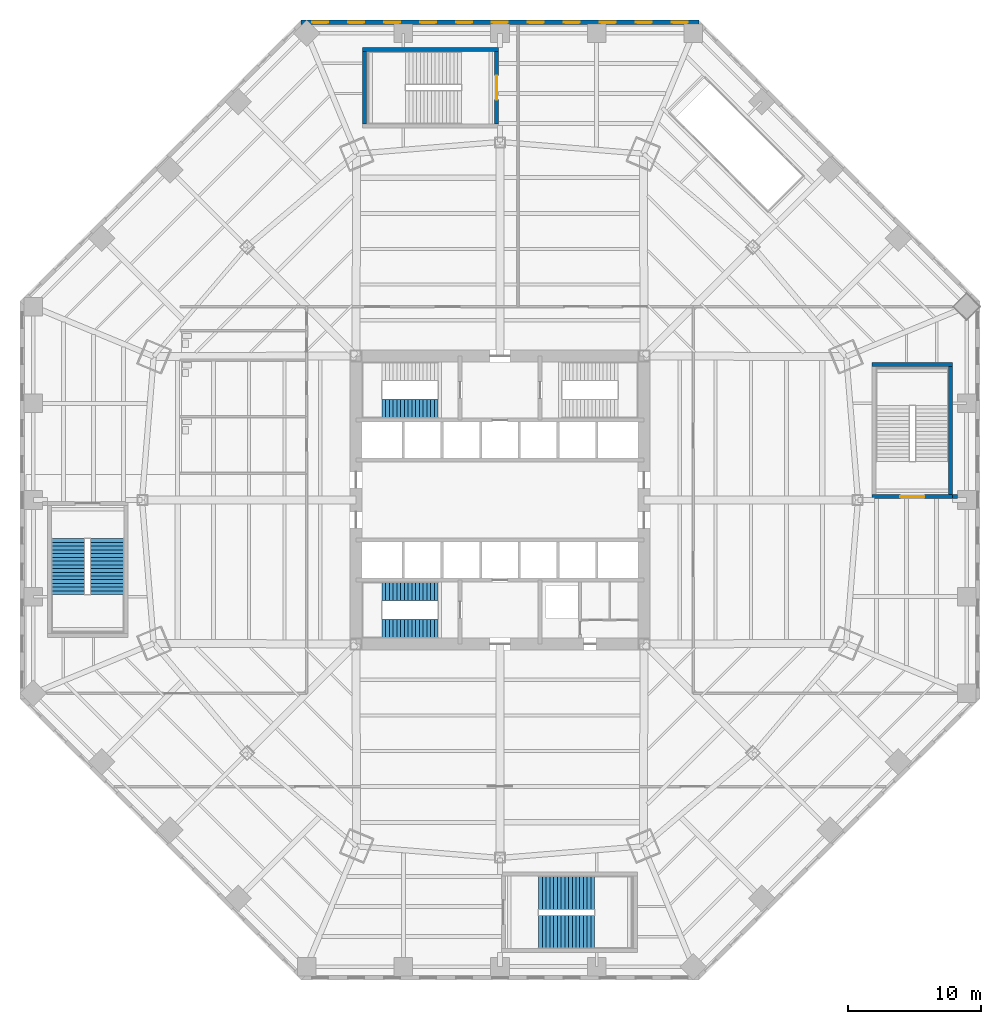
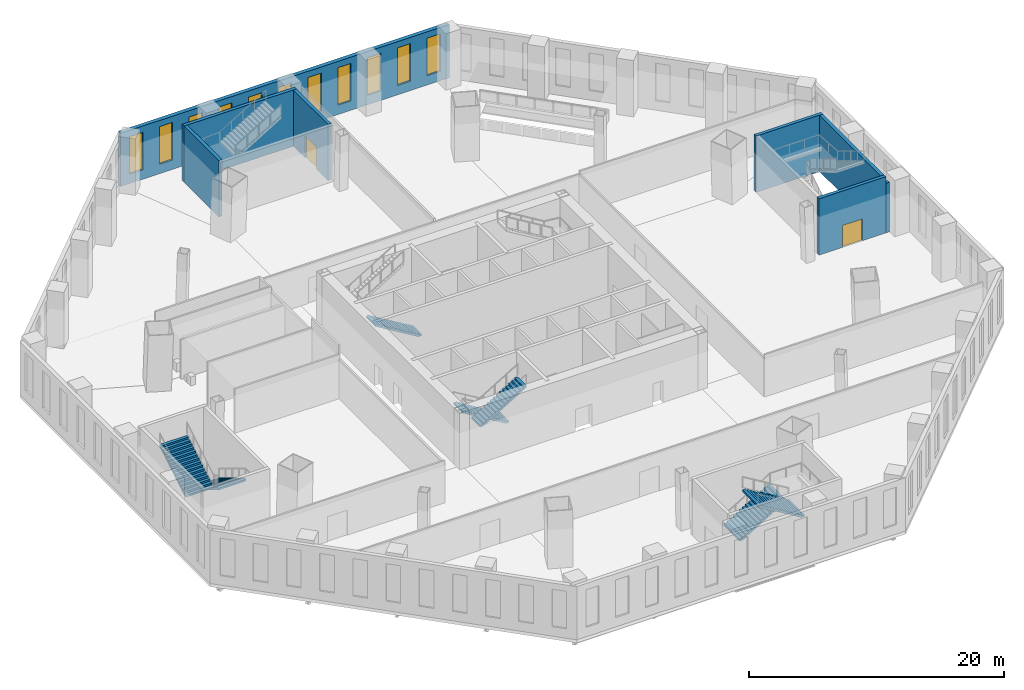
# One storey, part 13 of 18: 11 windows, 8 walls, 7 stair flights, 2 doors, 13 openings, 4 elements without a shape of their own.
"""IFC4 building model written with IfcOpenShell, lengths in metres."""

from ifc_helpers import new_model, si_unit, direction, frame, frame_2d, origin, place, context, subcontext, project, spatial, polyline, rectangle, outline, extrude, material, layer, layer_set, type_object, element, fill, aggregate, save


model = new_model("IFC4")

# Units and contexts
model_context = context("Model", 3, precision=1e-05, world=origin(), true_north=direction((0.0, 1.0)))
body_context = subcontext(model_context, "Body", "Model", "MODEL_VIEW")
ifc_project = project(units=[si_unit("LENGTHUNIT", "METRE"), si_unit("AREAUNIT", "SQUARE_METRE"), si_unit("VOLUMEUNIT", "CUBIC_METRE"), si_unit("PLANEANGLEUNIT", "RADIAN"), si_unit("MASSUNIT", "GRAM", prefix="KILO")], contexts=[model_context])

# Site, building, storey
site_placement = place(None, origin())
site = spatial("IfcSite", under=ifc_project, at=site_placement, CompositionType="ELEMENT")
building_placement = place(site_placement, origin())
building = spatial("IfcBuilding", under=site, at=building_placement, Name="Mashrafa Tower", CompositionType="ELEMENT")
storey_placement = place(building_placement, frame((0.0, 0.0, 13.199951171875)))
storey = spatial("IfcBuildingStorey", under=building, at=storey_placement, Name="L02", CompositionType="ELEMENT", Elevation=13.199951171875)

# Wall, openings, windows
ifc_material_1 = material(Name="Riyadh limestone cladding on blockwork", Category="masonry")
ifc_layer_1 = layer(ifc_material_1, 0.35009765625)
ifc_layer_set_1 = layer_set([ifc_layer_1], Name="Limestone-clad external wall 350")
wall_type_1 = type_object("IfcWallType", Name="Limestone-clad external wall 350", PredefinedType="SOLIDWALL", material=ifc_layer_set_1)
wall_1_placement = place(storey_placement, frame((14.91162109375, 35.824951171875, 0.0), z_axis=(0.0, 0.0, 1.0), x_axis=(-1.0, 0.0, 0.0)))
wall_1 = element("IfcWall", 1, at=wall_1_placement, inside=storey, type_object=wall_type_1, Name="Limestone-clad external wall L02 north", PredefinedType="SOLIDWALL", context=body_context, shape_type="SweptSolid", body=[
    extrude(rectangle(XDim=29.8232421875, YDim=0.35009765625, at=frame_2d((14.91162109375, 0.0))), origin(), (0.0, 0.0, 1.0), 5.10009765625),
])
opening_1_placement = place(wall_1_placement, frame((0.821533203125, 0.0, 0.89990234375)))
opening_1 = element("IfcOpeningElement", 2, at=opening_1_placement, cuts=wall_1, Name="Opening W2", PredefinedType="OPENING", context=body_context, shape_type="SweptSolid", body=[
    extrude(rectangle(XDim=1.199951171875, YDim=3.60009765625, at=frame_2d((0.60009765625, 1.800048828125))), frame((0.0, 0.18505859375, 0.0), z_axis=(0.0, -1.0, 0.0), x_axis=(1.0, 0.0, 0.0)), (0.0, 0.0, 1.0), 0.3701171875),
])
opening_2_placement = place(wall_1_placement, frame((3.51953125, 0.0, 0.89990234375)))
opening_2 = element("IfcOpeningElement", 3, at=opening_2_placement, cuts=wall_1, Name="Opening W2", PredefinedType="OPENING", context=body_context, shape_type="SweptSolid", body=[
    extrude(rectangle(XDim=1.199951171875, YDim=3.60009765625, at=frame_2d((0.60009765625, 1.800048828125))), frame((0.0, 0.18505859375, 0.0), z_axis=(0.0, -1.0, 0.0), x_axis=(1.0, 0.0, 0.0)), (0.0, 0.0, 1.0), 0.3701171875),
])
opening_3_placement = place(wall_1_placement, frame((6.217529296875, 0.0, 0.89990234375)))
opening_3 = element("IfcOpeningElement", 4, at=opening_3_placement, cuts=wall_1, Name="Opening W2", PredefinedType="OPENING", context=body_context, shape_type="SweptSolid", body=[
    extrude(rectangle(XDim=1.199951171875, YDim=3.60009765625, at=frame_2d((0.60009765625, 1.800048828125))), frame((0.0, 0.18505859375, 0.0), z_axis=(0.0, -1.0, 0.0), x_axis=(1.0, 0.0, 0.0)), (0.0, 0.0, 1.0), 0.3701171875),
])
opening_4_placement = place(wall_1_placement, frame((8.91552734375, 0.0, 0.89990234375)))
opening_4 = element("IfcOpeningElement", 5, at=opening_4_placement, cuts=wall_1, Name="Opening W2", PredefinedType="OPENING", context=body_context, shape_type="SweptSolid", body=[
    extrude(rectangle(XDim=1.199951171875, YDim=3.60009765625, at=frame_2d((0.60009765625, 1.800048828125))), frame((0.0, 0.18505859375, 0.0), z_axis=(0.0, -1.0, 0.0), x_axis=(1.0, 0.0, 0.0)), (0.0, 0.0, 1.0), 0.3701171875),
])
opening_5_placement = place(wall_1_placement, frame((11.61376953125, 0.0, 0.89990234375)))
opening_5 = element("IfcOpeningElement", 6, at=opening_5_placement, cuts=wall_1, Name="Opening W2", PredefinedType="OPENING", context=body_context, shape_type="SweptSolid", body=[
    extrude(rectangle(XDim=1.199951171875, YDim=3.60009765625, at=frame_2d((0.60009765625, 1.800048828125))), frame((0.0, 0.18505859375, 0.0), z_axis=(0.0, -1.0, 0.0), x_axis=(1.0, 0.0, 0.0)), (0.0, 0.0, 1.0), 0.3701171875),
])
opening_6_placement = place(wall_1_placement, frame((14.311767578125, 0.0, 0.89990234375)))
opening_6 = element("IfcOpeningElement", 7, at=opening_6_placement, cuts=wall_1, Name="Opening W2", PredefinedType="OPENING", context=body_context, shape_type="SweptSolid", body=[
    extrude(rectangle(XDim=1.199951171875, YDim=3.60009765625, at=frame_2d((0.60009765625, 1.800048828125))), frame((0.0, 0.18505859375, 0.0), z_axis=(0.0, -1.0, 0.0), x_axis=(1.0, 0.0, 0.0)), (0.0, 0.0, 1.0), 0.3701171875),
])
opening_7_placement = place(wall_1_placement, frame((17.009765625, 0.0, 0.89990234375)))
opening_7 = element("IfcOpeningElement", 8, at=opening_7_placement, cuts=wall_1, Name="Opening W2", PredefinedType="OPENING", context=body_context, shape_type="SweptSolid", body=[
    extrude(rectangle(XDim=1.199951171875, YDim=3.60009765625, at=frame_2d((0.60009765625, 1.800048828125))), frame((0.0, 0.18505859375, 0.0), z_axis=(0.0, -1.0, 0.0), x_axis=(1.0, 0.0, 0.0)), (0.0, 0.0, 1.0), 0.3701171875),
])
opening_8_placement = place(wall_1_placement, frame((19.707763671875, 0.0, 0.89990234375)))
opening_8 = element("IfcOpeningElement", 9, at=opening_8_placement, cuts=wall_1, Name="Opening W2", PredefinedType="OPENING", context=body_context, shape_type="SweptSolid", body=[
    extrude(rectangle(XDim=1.199951171875, YDim=3.60009765625, at=frame_2d((0.60009765625, 1.800048828125))), frame((0.0, 0.18505859375, 0.0), z_axis=(0.0, -1.0, 0.0), x_axis=(1.0, 0.0, 0.0)), (0.0, 0.0, 1.0), 0.3701171875),
])
opening_9_placement = place(wall_1_placement, frame((22.40576171875, 0.0, 0.89990234375)))
opening_9 = element("IfcOpeningElement", 10, at=opening_9_placement, cuts=wall_1, Name="Opening W2", PredefinedType="OPENING", context=body_context, shape_type="SweptSolid", body=[
    extrude(rectangle(XDim=1.199951171875, YDim=3.60009765625, at=frame_2d((0.60009765625, 1.800048828125))), frame((0.0, 0.18505859375, 0.0), z_axis=(0.0, -1.0, 0.0), x_axis=(1.0, 0.0, 0.0)), (0.0, 0.0, 1.0), 0.3701171875),
])
opening_10_placement = place(wall_1_placement, frame((25.103759765625, 0.0, 0.89990234375)))
opening_10 = element("IfcOpeningElement", 11, at=opening_10_placement, cuts=wall_1, Name="Opening W2", PredefinedType="OPENING", context=body_context, shape_type="SweptSolid", body=[
    extrude(rectangle(XDim=1.199951171875, YDim=3.60009765625, at=frame_2d((0.60009765625, 1.800048828125))), frame((0.0, 0.18505859375, 0.0), z_axis=(0.0, -1.0, 0.0), x_axis=(1.0, 0.0, 0.0)), (0.0, 0.0, 1.0), 0.3701171875),
])
opening_11_placement = place(wall_1_placement, frame((27.8017578125, 0.0, 0.89990234375)))
opening_11 = element("IfcOpeningElement", 12, at=opening_11_placement, cuts=wall_1, Name="Opening W2", PredefinedType="OPENING", context=body_context, shape_type="SweptSolid", body=[
    extrude(rectangle(XDim=1.199951171875, YDim=3.60009765625, at=frame_2d((0.60009765625, 1.800048828125))), frame((0.0, 0.18505859375, 0.0), z_axis=(0.0, -1.0, 0.0), x_axis=(1.0, 0.0, 0.0)), (0.0, 0.0, 1.0), 0.3701171875),
])
ifc_material_2 = material(Name="Bronze-framed insulated glazing", Category="glass")
window_type = type_object("IfcWindowType", Name="Tall punched window 1200 x 3600", PartitioningType="DOUBLE_PANEL_HORIZONTAL", PredefinedType="WINDOW", material=ifc_material_2)
window_1_placement = place(opening_1_placement, origin())
window_1 = element("IfcWindow", 13, at=window_1_placement, inside=storey, type_object=window_type, Name="Window W2 L02 north bay 1", OverallHeight=3.60009765625, OverallWidth=1.199951171875, PartitioningType="SINGLE_PANEL", PredefinedType="WINDOW", context=body_context, shape_type="SweptSolid", body=[
    extrude(rectangle(XDim=1.199951171875, YDim=3.60009765625, at=frame_2d((0.60009765625, 1.800048828125))), frame((0.0, 0.030029296875, 0.0), z_axis=(0.0, -1.0, 0.0), x_axis=(1.0, 0.0, 0.0)), (0.0, 0.0, 1.0), 0.06005859375),
])
fill(opening_1, window_1)
window_2_placement = place(opening_2_placement, origin())
window_2 = element("IfcWindow", 14, at=window_2_placement, inside=storey, type_object=window_type, Name="Window W2 L02 north bay 2", OverallHeight=3.60009765625, OverallWidth=1.199951171875, PartitioningType="SINGLE_PANEL", PredefinedType="WINDOW", context=body_context, shape_type="SweptSolid", body=[
    extrude(rectangle(XDim=1.199951171875, YDim=3.60009765625, at=frame_2d((0.60009765625, 1.800048828125))), frame((0.0, 0.030029296875, 0.0), z_axis=(0.0, -1.0, 0.0), x_axis=(1.0, 0.0, 0.0)), (0.0, 0.0, 1.0), 0.06005859375),
])
fill(opening_2, window_2)
window_3_placement = place(opening_3_placement, origin())
window_3 = element("IfcWindow", 15, at=window_3_placement, inside=storey, type_object=window_type, Name="Window W2 L02 north bay 3", OverallHeight=3.60009765625, OverallWidth=1.199951171875, PartitioningType="SINGLE_PANEL", PredefinedType="WINDOW", context=body_context, shape_type="SweptSolid", body=[
    extrude(rectangle(XDim=1.199951171875, YDim=3.60009765625, at=frame_2d((0.60009765625, 1.800048828125))), frame((0.0, 0.030029296875, 0.0), z_axis=(0.0, -1.0, 0.0), x_axis=(1.0, 0.0, 0.0)), (0.0, 0.0, 1.0), 0.06005859375),
])
fill(opening_3, window_3)
window_4_placement = place(opening_4_placement, origin())
window_4 = element("IfcWindow", 16, at=window_4_placement, inside=storey, type_object=window_type, Name="Window W2 L02 north bay 4", OverallHeight=3.60009765625, OverallWidth=1.199951171875, PartitioningType="SINGLE_PANEL", PredefinedType="WINDOW", context=body_context, shape_type="SweptSolid", body=[
    extrude(rectangle(XDim=1.199951171875, YDim=3.60009765625, at=frame_2d((0.60009765625, 1.800048828125))), frame((0.0, 0.030029296875, 0.0), z_axis=(0.0, -1.0, 0.0), x_axis=(1.0, 0.0, 0.0)), (0.0, 0.0, 1.0), 0.06005859375),
])
fill(opening_4, window_4)
window_5_placement = place(opening_5_placement, origin())
window_5 = element("IfcWindow", 17, at=window_5_placement, inside=storey, type_object=window_type, Name="Window W2 L02 north bay 5", OverallHeight=3.60009765625, OverallWidth=1.199951171875, PartitioningType="SINGLE_PANEL", PredefinedType="WINDOW", context=body_context, shape_type="SweptSolid", body=[
    extrude(rectangle(XDim=1.199951171875, YDim=3.60009765625, at=frame_2d((0.60009765625, 1.800048828125))), frame((0.0, 0.030029296875, 0.0), z_axis=(0.0, -1.0, 0.0), x_axis=(1.0, 0.0, 0.0)), (0.0, 0.0, 1.0), 0.06005859375),
])
fill(opening_5, window_5)
window_6_placement = place(opening_6_placement, origin())
window_6 = element("IfcWindow", 18, at=window_6_placement, inside=storey, type_object=window_type, Name="Window W2 L02 north bay 6", OverallHeight=3.60009765625, OverallWidth=1.199951171875, PartitioningType="SINGLE_PANEL", PredefinedType="WINDOW", context=body_context, shape_type="SweptSolid", body=[
    extrude(rectangle(XDim=1.199951171875, YDim=3.60009765625, at=frame_2d((0.60009765625, 1.800048828125))), frame((0.0, 0.030029296875, 0.0), z_axis=(0.0, -1.0, 0.0), x_axis=(1.0, 0.0, 0.0)), (0.0, 0.0, 1.0), 0.06005859375),
])
fill(opening_6, window_6)
window_7_placement = place(opening_7_placement, origin())
window_7 = element("IfcWindow", 19, at=window_7_placement, inside=storey, type_object=window_type, Name="Window W2 L02 north bay 7", OverallHeight=3.60009765625, OverallWidth=1.199951171875, PartitioningType="SINGLE_PANEL", PredefinedType="WINDOW", context=body_context, shape_type="SweptSolid", body=[
    extrude(rectangle(XDim=1.199951171875, YDim=3.60009765625, at=frame_2d((0.60009765625, 1.800048828125))), frame((0.0, 0.030029296875, 0.0), z_axis=(0.0, -1.0, 0.0), x_axis=(1.0, 0.0, 0.0)), (0.0, 0.0, 1.0), 0.06005859375),
])
fill(opening_7, window_7)
window_8_placement = place(opening_8_placement, origin())
window_8 = element("IfcWindow", 20, at=window_8_placement, inside=storey, type_object=window_type, Name="Window W2 L02 north bay 8", OverallHeight=3.60009765625, OverallWidth=1.199951171875, PartitioningType="SINGLE_PANEL", PredefinedType="WINDOW", context=body_context, shape_type="SweptSolid", body=[
    extrude(rectangle(XDim=1.199951171875, YDim=3.60009765625, at=frame_2d((0.60009765625, 1.800048828125))), frame((0.0, 0.030029296875, 0.0), z_axis=(0.0, -1.0, 0.0), x_axis=(1.0, 0.0, 0.0)), (0.0, 0.0, 1.0), 0.06005859375),
])
fill(opening_8, window_8)
window_9_placement = place(opening_9_placement, origin())
window_9 = element("IfcWindow", 21, at=window_9_placement, inside=storey, type_object=window_type, Name="Window W2 L02 north bay 9", OverallHeight=3.60009765625, OverallWidth=1.199951171875, PartitioningType="SINGLE_PANEL", PredefinedType="WINDOW", context=body_context, shape_type="SweptSolid", body=[
    extrude(rectangle(XDim=1.199951171875, YDim=3.60009765625, at=frame_2d((0.60009765625, 1.800048828125))), frame((0.0, 0.030029296875, 0.0), z_axis=(0.0, -1.0, 0.0), x_axis=(1.0, 0.0, 0.0)), (0.0, 0.0, 1.0), 0.06005859375),
])
fill(opening_9, window_9)
window_10_placement = place(opening_10_placement, origin())
window_10 = element("IfcWindow", 22, at=window_10_placement, inside=storey, type_object=window_type, Name="Window W2 L02 north bay 10", OverallHeight=3.60009765625, OverallWidth=1.199951171875, PartitioningType="SINGLE_PANEL", PredefinedType="WINDOW", context=body_context, shape_type="SweptSolid", body=[
    extrude(rectangle(XDim=1.199951171875, YDim=3.60009765625, at=frame_2d((0.60009765625, 1.800048828125))), frame((0.0, 0.030029296875, 0.0), z_axis=(0.0, -1.0, 0.0), x_axis=(1.0, 0.0, 0.0)), (0.0, 0.0, 1.0), 0.06005859375),
])
fill(opening_10, window_10)
window_11_placement = place(opening_11_placement, origin())
window_11 = element("IfcWindow", 23, at=window_11_placement, inside=storey, type_object=window_type, Name="Window W2 L02 north bay 11", OverallHeight=3.60009765625, OverallWidth=1.199951171875, PartitioningType="SINGLE_PANEL", PredefinedType="WINDOW", context=body_context, shape_type="SweptSolid", body=[
    extrude(rectangle(XDim=1.199951171875, YDim=3.60009765625, at=frame_2d((0.60009765625, 1.800048828125))), frame((0.0, 0.030029296875, 0.0), z_axis=(0.0, -1.0, 0.0), x_axis=(1.0, 0.0, 0.0)), (0.0, 0.0, 1.0), 0.06005859375),
])
fill(opening_11, window_11)

# Wall, opening, door
ifc_material_3 = material(Name="Concrete C35/45", Category="concrete")
ifc_layer_2 = layer(ifc_material_3, 0.300048828125)
ifc_layer_set_2 = layer_set([ifc_layer_2], Name="Stair core wall 300 3 hr")
wall_type_2 = type_object("IfcWallType", Name="Stair core wall 300 3 hr", PredefinedType="SOLIDWALL", material=ifc_layer_set_2)
wall_2_placement = place(storey_placement, frame((27.89990234375, 0.25, 0.0), z_axis=(0.0, 0.0, 1.0), x_axis=(1.0, 0.0, 0.0)))
wall_2 = element("IfcWall", 24, at=wall_2_placement, inside=storey, type_object=wall_type_2, Name="Stair P1 core wall S L02", PredefinedType="SOLIDWALL", context=body_context, shape_type="SweptSolid", body=[
    extrude(rectangle(XDim=6.050048828125, YDim=0.300048828125, at=frame_2d((3.02490234375, 0.0))), origin(), (0.0, 0.0, 1.0), 5.400146484375),
])
opening_12_placement = place(wall_2_placement, frame((2.125, 0.0, 0.0)))
opening_12 = element("IfcOpeningElement", 25, at=opening_12_placement, cuts=wall_2, Name="Opening 02.028", PredefinedType="OPENING", context=body_context, shape_type="SweptSolid", body=[
    extrude(rectangle(XDim=1.800048828125, YDim=2.10009765625, at=frame_2d((0.89990234375, 1.050048828125))), frame((0.0, 0.159912109375, 0.0), z_axis=(0.0, -1.0, 0.0), x_axis=(1.0, 0.0, 0.0)), (0.0, 0.0, 1.0), 0.320068359375),
])
ifc_material_4 = material(Name="Steel door", Category="steel")
door_type = type_object("IfcDoorType", Name="Stair door pair 1800 x 2100 90 min", OperationType="DOUBLE_DOOR_SINGLE_SWING", PredefinedType="DOOR", material=ifc_material_4)
door_1_placement = place(opening_12_placement, origin())
door_1 = element("IfcDoor", 26, at=door_1_placement, inside=storey, type_object=door_type, Name="Stair P1 door L02", OperationType="DOUBLE_DOOR_SINGLE_SWING", OverallHeight=2.10009765625, OverallWidth=1.800048828125, PredefinedType="DOOR", context=body_context, shape_type="SweptSolid", body=[
    extrude(rectangle(XDim=1.800048828125, YDim=2.10009765625, at=frame_2d((0.89990234375, 1.050048828125))), frame((0.0, 0.02490234375, 0.0), z_axis=(0.0, -1.0, 0.0), x_axis=(1.0, 0.0, 0.0)), (0.0, 0.0, 1.0), 0.050048828125),
])
fill(opening_12, door_1)

# Walls
wall_3_placement = place(storey_placement, frame((33.949951171875, 0.25, 0.0), z_axis=(0.0, 0.0, 1.0), x_axis=(1.0, 0.0, 0.0)))
element("IfcWall", 27, at=wall_3_placement, inside=storey, type_object=wall_type_2, Name="Stair P1 core wall S L02 end piece 2", PredefinedType="SOLIDWALL", context=body_context, shape_type="SweptSolid", body=[
    extrude(rectangle(XDim=0.35009765625, YDim=0.300048828125, at=frame_2d((0.175048828125, 0.0))), origin(), (0.0, 0.0, 1.0), 4.744384765625),
])
wall_4_placement = place(storey_placement, frame((33.949951171875, 10.14990234375, 0.0), z_axis=(0.0, 0.0, 1.0), x_axis=(-1.0, 0.0, 0.0)))
element("IfcWall", 28, at=wall_4_placement, inside=storey, type_object=wall_type_2, Name="Stair P1 core wall N L02", PredefinedType="SOLIDWALL", context=body_context, shape_type="SweptSolid", body=[
    extrude(rectangle(XDim=6.050048828125, YDim=0.300048828125, at=frame_2d((3.02490234375, 0.0))), origin(), (0.0, 0.0, 1.0), 5.400146484375),
])
wall_5_placement = place(storey_placement, frame((33.800048828125, 0.39990234375, 0.0), z_axis=(0.0, 0.0, 1.0), x_axis=(0.0, 1.0, 0.0)))
element("IfcWall", 29, at=wall_5_placement, inside=storey, type_object=wall_type_2, Name="Stair P1 core wall E L02", PredefinedType="SOLIDWALL", context=body_context, shape_type="SweptSolid", body=[
    extrude(rectangle(XDim=9.60009765625, YDim=0.300048828125, at=frame_2d((4.800048828125, 0.0))), origin(), (0.0, 0.0, 1.0), 5.400146484375),
])
wall_6_placement = place(storey_placement, frame((-0.10009765625, 33.800048828125, 0.0), z_axis=(0.0, 0.0, 1.0), x_axis=(-1.0, 0.0, 0.0)))
element("IfcWall", 30, at=wall_6_placement, inside=storey, type_object=wall_type_2, Name="Stair P2 core wall N L02", PredefinedType="SOLIDWALL", context=body_context, shape_type="SweptSolid", body=[
    extrude(rectangle(XDim=10.199951171875, YDim=0.300048828125, at=frame_2d((5.10009765625, 0.0))), origin(), (0.0, 0.0, 1.0), 5.400146484375),
])
wall_7_placement = place(storey_placement, frame((-10.14990234375, 33.64990234375, 0.0), z_axis=(0.0, 0.0, 1.0), x_axis=(0.0, -1.0, 0.0)))
element("IfcWall", 31, at=wall_7_placement, inside=storey, type_object=wall_type_2, Name="Stair P2 core wall W L02", PredefinedType="SOLIDWALL", context=body_context, shape_type="SweptSolid", body=[
    extrude(rectangle(XDim=5.449951171875, YDim=0.300048828125, at=frame_2d((2.72509765625, 0.0))), origin(), (0.0, 0.0, 1.0), 5.400146484375),
])

# Wall, opening, door
wall_8_placement = place(storey_placement, frame((-0.25, 28.199951171875, 0.0), z_axis=(0.0, 0.0, 1.0), x_axis=(0.0, 1.0, 0.0)))
wall_8 = element("IfcWall", 32, at=wall_8_placement, inside=storey, type_object=wall_type_2, Name="Stair P2 core wall E L02", PredefinedType="SOLIDWALL", context=body_context, shape_type="SweptSolid", body=[
    extrude(rectangle(XDim=5.449951171875, YDim=0.300048828125, at=frame_2d((2.72509765625, 0.0))), origin(), (0.0, 0.0, 1.0), 5.400146484375),
])
opening_13_placement = place(wall_8_placement, frame((1.824951171875, 0.0, 0.0)))
opening_13 = element("IfcOpeningElement", 33, at=opening_13_placement, cuts=wall_8, Name="Opening 02.029", PredefinedType="OPENING", context=body_context, shape_type="SweptSolid", body=[
    extrude(rectangle(XDim=1.800048828125, YDim=2.10009765625, at=frame_2d((0.89990234375, 1.050048828125))), frame((0.0, 0.159912109375, 0.0), z_axis=(0.0, -1.0, 0.0), x_axis=(1.0, 0.0, 0.0)), (0.0, 0.0, 1.0), 0.320068359375),
])
door_2_placement = place(opening_13_placement, origin())
door_2 = element("IfcDoor", 34, at=door_2_placement, inside=storey, type_object=door_type, Name="Stair P2 door L02", OperationType="DOUBLE_DOOR_SINGLE_SWING", OverallHeight=2.10009765625, OverallWidth=1.800048828125, PredefinedType="DOOR", context=body_context, shape_type="SweptSolid", body=[
    extrude(rectangle(XDim=1.800048828125, YDim=2.10009765625, at=frame_2d((0.89990234375, 1.050048828125))), frame((0.0, 0.02490234375, 0.0), z_axis=(0.0, -1.0, 0.0), x_axis=(1.0, 0.0, 0.0)), (0.0, 0.0, 1.0), 0.050048828125),
])
fill(opening_13, door_2)

# Stair, stair flight
ifc_material_5 = material(Name="Exit stair 1400")
stair_type_1 = type_object("IfcStairType", Name="Exit stair 1400", PredefinedType="HALF_TURN_STAIR", material=ifc_material_5)
stair_1_placement = place(storey_placement, origin())
stair_1 = element("IfcStair", 35, at=stair_1_placement, inside=storey, type_object=stair_type_1, Name="Stair S1 L02", PredefinedType="HALF_TURN_STAIR")
ifc_material_6 = material(Name="Concrete C32/40", Category="concrete")
stair_flight_type_1 = type_object("IfcStairFlightType", Name="Stair flight 1400", PredefinedType="STRAIGHT", material=ifc_material_6)
stair_flight_1_placement = place(storey_placement, frame((-4.64990234375, 6.85009765625, 0.0), z_axis=(0.0, 0.0, 1.0), x_axis=(-1.0, 0.0, 0.0)))
stair_flight_1 = element("IfcStairFlight", 36, at=stair_flight_1_placement, type_object=stair_flight_type_1, Name="S1 flight 1", NumberOfRisers=16, NumberOfTreads=15, PredefinedType="STRAIGHT", RiserHeight=0.16875, TreadLength=0.28, context=body_context, shape_type="SweptSolid", body=[
    extrude(outline(polyline([(0.0, 0.0), (0.0, 0.168701171875), (0.280029296875, 0.168701171875), (0.280029296875, 0.33740234375), (0.56005859375, 0.33740234375), (0.56005859375, 0.50634765625), (0.840087890625, 0.50634765625), (0.840087890625, 0.675048828125), (1.1201171875, 0.675048828125), (1.1201171875, 0.84375), (1.39990234375, 0.84375), (1.39990234375, 1.012451171875), (1.679931640625, 1.012451171875), (1.679931640625, 1.18115234375), (1.9599609375, 1.18115234375), (1.9599609375, 1.35009765625), (2.239990234375, 1.35009765625), (2.239990234375, 1.518798828125), (2.52001953125, 1.518798828125), (2.52001953125, 1.6875), (2.800048828125, 1.6875), (2.800048828125, 1.856201171875), (3.080078125, 1.856201171875), (3.080078125, 2.02490234375), (3.360107421875, 2.02490234375), (3.360107421875, 2.19384765625), (3.639892578125, 2.19384765625), (3.639892578125, 2.362548828125), (3.919921875, 2.362548828125), (3.919921875, 2.53125), (4.199951171875, 2.53125), (4.199951171875, 2.699951171875), (4.199951171875, 2.356201171875), (0.29052734375, 0.0), (0.0, 0.0)])), frame((0.0, 0.699951171875, 0.0), z_axis=(0.0, -1.0, 0.0), x_axis=(1.0, 0.0, 0.0)), (0.0, 0.0, 1.0), 1.39990234375),
])
aggregate(stair_1, [stair_flight_1])

# Stair, stair flights
stair_2_placement = place(storey_placement, origin())
stair_2 = element("IfcStair", 37, at=stair_2_placement, inside=storey, type_object=stair_type_1, Name="Stair S3 L02", PredefinedType="HALF_TURN_STAIR")
stair_flight_2_placement = place(storey_placement, frame((-4.64990234375, -6.85009765625, 0.0), z_axis=(0.0, 0.0, 1.0), x_axis=(-1.0, 0.0, 0.0)))
stair_flight_2 = element("IfcStairFlight", 38, at=stair_flight_2_placement, type_object=stair_flight_type_1, Name="S3 flight 1", NumberOfRisers=16, NumberOfTreads=15, PredefinedType="STRAIGHT", RiserHeight=0.16875, TreadLength=0.28, context=body_context, shape_type="SweptSolid", body=[
    extrude(outline(polyline([(0.0, 0.0), (0.0, 0.168701171875), (0.280029296875, 0.168701171875), (0.280029296875, 0.33740234375), (0.56005859375, 0.33740234375), (0.56005859375, 0.50634765625), (0.840087890625, 0.50634765625), (0.840087890625, 0.675048828125), (1.1201171875, 0.675048828125), (1.1201171875, 0.84375), (1.39990234375, 0.84375), (1.39990234375, 1.012451171875), (1.679931640625, 1.012451171875), (1.679931640625, 1.18115234375), (1.9599609375, 1.18115234375), (1.9599609375, 1.35009765625), (2.239990234375, 1.35009765625), (2.239990234375, 1.518798828125), (2.52001953125, 1.518798828125), (2.52001953125, 1.6875), (2.800048828125, 1.6875), (2.800048828125, 1.856201171875), (3.080078125, 1.856201171875), (3.080078125, 2.02490234375), (3.360107421875, 2.02490234375), (3.360107421875, 2.19384765625), (3.639892578125, 2.19384765625), (3.639892578125, 2.362548828125), (3.919921875, 2.362548828125), (3.919921875, 2.53125), (4.199951171875, 2.53125), (4.199951171875, 2.699951171875), (4.199951171875, 2.356201171875), (0.29052734375, 0.0), (0.0, 0.0)])), frame((0.0, 0.699951171875, 0.0), z_axis=(0.0, -1.0, 0.0), x_axis=(1.0, 0.0, 0.0)), (0.0, 0.0, 1.0), 1.39990234375),
])
stair_flight_3_placement = place(storey_placement, frame((-8.85009765625, -9.64990234375, 2.699951171875), z_axis=(0.0, 0.0, 1.0), x_axis=(1.0, 0.0, 0.0)))
stair_flight_3 = element("IfcStairFlight", 39, at=stair_flight_3_placement, type_object=stair_flight_type_1, Name="S3 flight 2", NumberOfRisers=16, NumberOfTreads=15, PredefinedType="STRAIGHT", RiserHeight=0.16875, TreadLength=0.28, context=body_context, shape_type="SweptSolid", body=[
    extrude(outline(polyline([(0.0, 0.0), (0.0, 0.168701171875), (0.280029296875, 0.168701171875), (0.280029296875, 0.33740234375), (0.56005859375, 0.33740234375), (0.56005859375, 0.50634765625), (0.840087890625, 0.50634765625), (0.840087890625, 0.675048828125), (1.1201171875, 0.675048828125), (1.1201171875, 0.84375), (1.39990234375, 0.84375), (1.39990234375, 1.012451171875), (1.679931640625, 1.012451171875), (1.679931640625, 1.18115234375), (1.9599609375, 1.18115234375), (1.9599609375, 1.35009765625), (2.239990234375, 1.35009765625), (2.239990234375, 1.518798828125), (2.52001953125, 1.518798828125), (2.52001953125, 1.6875), (2.800048828125, 1.6875), (2.800048828125, 1.856201171875), (3.080078125, 1.856201171875), (3.080078125, 2.02490234375), (3.360107421875, 2.02490234375), (3.360107421875, 2.19384765625), (3.639892578125, 2.19384765625), (3.639892578125, 2.362548828125), (3.919921875, 2.362548828125), (3.919921875, 2.53125), (4.199951171875, 2.53125), (4.199951171875, 2.699951171875), (4.199951171875, 2.356201171875), (0.29052734375, 0.0), (0.0, 0.0)])), frame((0.0, 0.699951171875, 0.0), z_axis=(0.0, -1.0, 0.0), x_axis=(1.0, 0.0, 0.0)), (0.0, 0.0, 1.0), 1.39990234375),
])
aggregate(stair_2, [stair_flight_2, stair_flight_3])

ifc_material_7 = material(Name="Exit stair 2500")
stair_type_2 = type_object("IfcStairType", Name="Exit stair 2500", PredefinedType="HALF_TURN_STAIR", material=ifc_material_7)
stair_3_placement = place(storey_placement, origin())
stair_3 = element("IfcStair", 40, at=stair_3_placement, inside=storey, type_object=stair_type_2, Name="Stair P3 L02", PredefinedType="HALF_TURN_STAIR")
ifc_material_8 = material(Name="Concrete C32/40", Category="concrete")
stair_flight_type_2 = type_object("IfcStairFlightType", Name="Stair flight 2500", PredefinedType="STRAIGHT", material=ifc_material_8)
stair_flight_4_placement = place(storey_placement, frame((-29.449951171875, -2.89990234375, 0.0), z_axis=(0.0, 0.0, 1.0), x_axis=(0.0, -1.0, 0.0)))
stair_flight_4 = element("IfcStairFlight", 41, at=stair_flight_4_placement, type_object=stair_flight_type_2, Name="P3 flight 1", NumberOfRisers=16, NumberOfTreads=15, PredefinedType="STRAIGHT", RiserHeight=0.16875, TreadLength=0.28, context=body_context, shape_type="SweptSolid", body=[
    extrude(outline(polyline([(0.0, 0.0), (0.0, 0.168701171875), (0.280029296875, 0.168701171875), (0.280029296875, 0.33740234375), (0.56005859375, 0.33740234375), (0.56005859375, 0.50634765625), (0.840087890625, 0.50634765625), (0.840087890625, 0.675048828125), (1.1201171875, 0.675048828125), (1.1201171875, 0.84375), (1.39990234375, 0.84375), (1.39990234375, 1.012451171875), (1.679931640625, 1.012451171875), (1.679931640625, 1.18115234375), (1.9599609375, 1.18115234375), (1.9599609375, 1.35009765625), (2.239990234375, 1.35009765625), (2.239990234375, 1.518798828125), (2.52001953125, 1.518798828125), (2.52001953125, 1.6875), (2.800048828125, 1.6875), (2.800048828125, 1.856201171875), (3.080078125, 1.856201171875), (3.080078125, 2.02490234375), (3.360107421875, 2.02490234375), (3.360107421875, 2.19384765625), (3.639892578125, 2.19384765625), (3.639892578125, 2.362548828125), (3.919921875, 2.362548828125), (3.919921875, 2.53125), (4.199951171875, 2.53125), (4.199951171875, 2.699951171875), (4.199951171875, 2.356201171875), (0.29052734375, 0.0), (0.0, 0.0)])), frame((0.0, 1.25, 0.0), z_axis=(0.0, -1.0, 0.0), x_axis=(1.0, 0.0, 0.0)), (0.0, 0.0, 1.0), 2.5),
])
stair_flight_5_placement = place(storey_placement, frame((-32.39990234375, -7.10009765625, 2.699951171875), z_axis=(0.0, 0.0, 1.0), x_axis=(0.0, 1.0, 0.0)))
stair_flight_5 = element("IfcStairFlight", 42, at=stair_flight_5_placement, type_object=stair_flight_type_2, Name="P3 flight 2", NumberOfRisers=16, NumberOfTreads=15, PredefinedType="STRAIGHT", RiserHeight=0.16875, TreadLength=0.28, context=body_context, shape_type="SweptSolid", body=[
    extrude(outline(polyline([(0.0, 0.0), (0.0, 0.168701171875), (0.280029296875, 0.168701171875), (0.280029296875, 0.33740234375), (0.56005859375, 0.33740234375), (0.56005859375, 0.50634765625), (0.840087890625, 0.50634765625), (0.840087890625, 0.675048828125), (1.1201171875, 0.675048828125), (1.1201171875, 0.84375), (1.39990234375, 0.84375), (1.39990234375, 1.012451171875), (1.679931640625, 1.012451171875), (1.679931640625, 1.18115234375), (1.9599609375, 1.18115234375), (1.9599609375, 1.35009765625), (2.239990234375, 1.35009765625), (2.239990234375, 1.518798828125), (2.52001953125, 1.518798828125), (2.52001953125, 1.6875), (2.800048828125, 1.6875), (2.800048828125, 1.856201171875), (3.080078125, 1.856201171875), (3.080078125, 2.02490234375), (3.360107421875, 2.02490234375), (3.360107421875, 2.19384765625), (3.639892578125, 2.19384765625), (3.639892578125, 2.362548828125), (3.919921875, 2.362548828125), (3.919921875, 2.53125), (4.199951171875, 2.53125), (4.199951171875, 2.699951171875), (4.199951171875, 2.356201171875), (0.29052734375, 0.0), (0.0, 0.0)])), frame((0.0, 1.25, 0.0), z_axis=(0.0, -1.0, 0.0), x_axis=(1.0, 0.0, 0.0)), (0.0, 0.0, 1.0), 2.5),
])
aggregate(stair_3, [stair_flight_4, stair_flight_5])

stair_4_placement = place(storey_placement, origin())
stair_4 = element("IfcStair", 43, at=stair_4_placement, inside=storey, type_object=stair_type_2, Name="Stair P4 L02", PredefinedType="HALF_TURN_STAIR")
stair_flight_6_placement = place(storey_placement, frame((2.89990234375, -29.449951171875, 0.0), z_axis=(0.0, 0.0, 1.0), x_axis=(1.0, 0.0, 0.0)))
stair_flight_6 = element("IfcStairFlight", 44, at=stair_flight_6_placement, type_object=stair_flight_type_2, Name="P4 flight 1", NumberOfRisers=16, NumberOfTreads=15, PredefinedType="STRAIGHT", RiserHeight=0.16875, TreadLength=0.28, context=body_context, shape_type="SweptSolid", body=[
    extrude(outline(polyline([(0.0, 0.0), (0.0, 0.168701171875), (0.280029296875, 0.168701171875), (0.280029296875, 0.33740234375), (0.56005859375, 0.33740234375), (0.56005859375, 0.50634765625), (0.840087890625, 0.50634765625), (0.840087890625, 0.675048828125), (1.1201171875, 0.675048828125), (1.1201171875, 0.84375), (1.39990234375, 0.84375), (1.39990234375, 1.012451171875), (1.679931640625, 1.012451171875), (1.679931640625, 1.18115234375), (1.9599609375, 1.18115234375), (1.9599609375, 1.35009765625), (2.239990234375, 1.35009765625), (2.239990234375, 1.518798828125), (2.52001953125, 1.518798828125), (2.52001953125, 1.6875), (2.800048828125, 1.6875), (2.800048828125, 1.856201171875), (3.080078125, 1.856201171875), (3.080078125, 2.02490234375), (3.360107421875, 2.02490234375), (3.360107421875, 2.19384765625), (3.639892578125, 2.19384765625), (3.639892578125, 2.362548828125), (3.919921875, 2.362548828125), (3.919921875, 2.53125), (4.199951171875, 2.53125), (4.199951171875, 2.699951171875), (4.199951171875, 2.356201171875), (0.29052734375, 0.0), (0.0, 0.0)])), frame((0.0, 1.25, 0.0), z_axis=(0.0, -1.0, 0.0), x_axis=(1.0, 0.0, 0.0)), (0.0, 0.0, 1.0), 2.5),
])
stair_flight_7_placement = place(storey_placement, frame((7.10009765625, -32.39990234375, 2.699951171875), z_axis=(0.0, 0.0, 1.0), x_axis=(-1.0, 0.0, 0.0)))
stair_flight_7 = element("IfcStairFlight", 45, at=stair_flight_7_placement, type_object=stair_flight_type_2, Name="P4 flight 2", NumberOfRisers=16, NumberOfTreads=15, PredefinedType="STRAIGHT", RiserHeight=0.16875, TreadLength=0.28, context=body_context, shape_type="SweptSolid", body=[
    extrude(outline(polyline([(0.0, 0.0), (0.0, 0.168701171875), (0.280029296875, 0.168701171875), (0.280029296875, 0.33740234375), (0.56005859375, 0.33740234375), (0.56005859375, 0.50634765625), (0.840087890625, 0.50634765625), (0.840087890625, 0.675048828125), (1.1201171875, 0.675048828125), (1.1201171875, 0.84375), (1.39990234375, 0.84375), (1.39990234375, 1.012451171875), (1.679931640625, 1.012451171875), (1.679931640625, 1.18115234375), (1.9599609375, 1.18115234375), (1.9599609375, 1.35009765625), (2.239990234375, 1.35009765625), (2.239990234375, 1.518798828125), (2.52001953125, 1.518798828125), (2.52001953125, 1.6875), (2.800048828125, 1.6875), (2.800048828125, 1.856201171875), (3.080078125, 1.856201171875), (3.080078125, 2.02490234375), (3.360107421875, 2.02490234375), (3.360107421875, 2.19384765625), (3.639892578125, 2.19384765625), (3.639892578125, 2.362548828125), (3.919921875, 2.362548828125), (3.919921875, 2.53125), (4.199951171875, 2.53125), (4.199951171875, 2.699951171875), (4.199951171875, 2.356201171875), (0.29052734375, 0.0), (0.0, 0.0)])), frame((0.0, 1.25, 0.0), z_axis=(0.0, -1.0, 0.0), x_axis=(1.0, 0.0, 0.0)), (0.0, 0.0, 1.0), 2.5),
])
aggregate(stair_4, [stair_flight_6, stair_flight_7])

save(model, "model.ifc")
